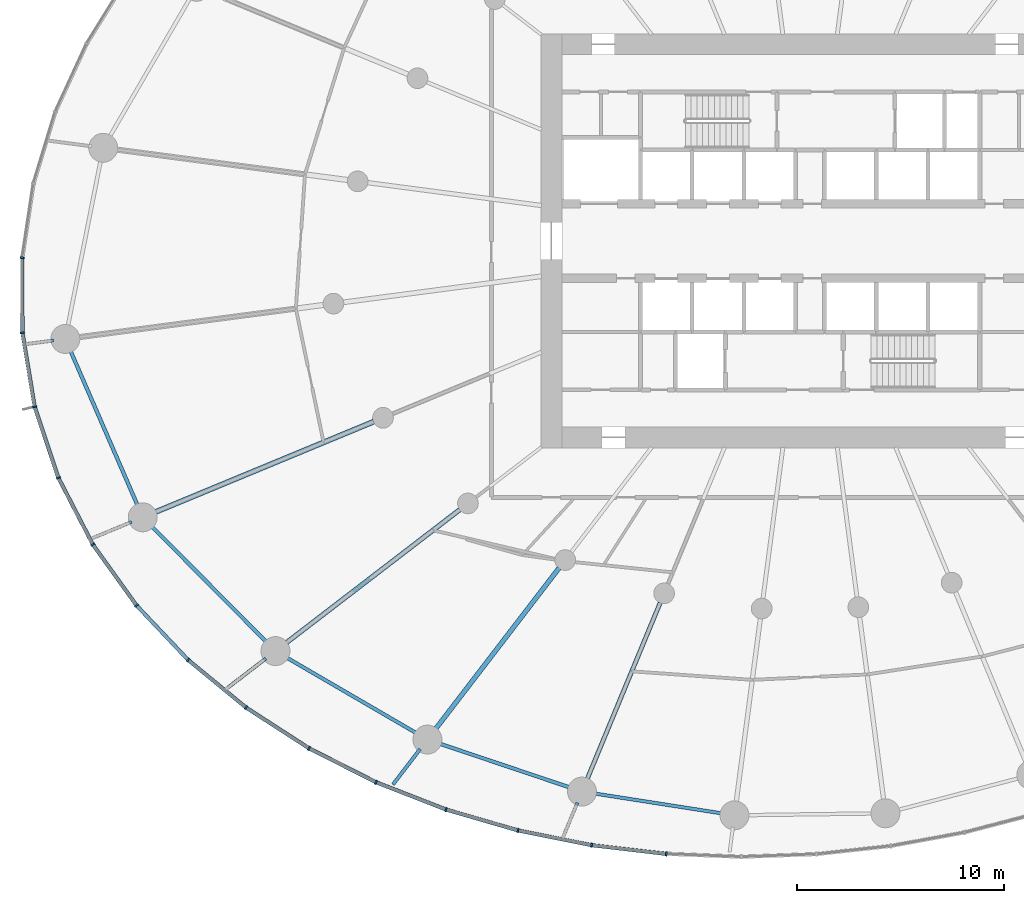
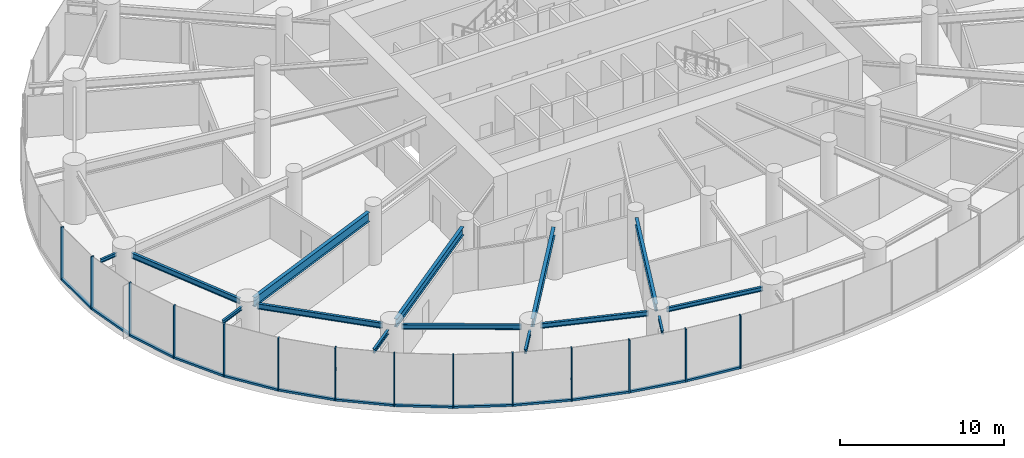
# One storey, part 2 of 19: 27 members, 14 beams, 3 elements without a shape of their own.
"""IFC4 building model written with IfcOpenShell, lengths in metres."""

from ifc_helpers import new_model, si_unit, direction, frame, origin, origin_2d, place, context, subcontext, project, spatial, rectangle, i_section, extrude, source, transform, mapped, material, layer, layer_set, material_profile, profile_set, type_object, element, aggregate, save


model = new_model("IFC4")

# Units and contexts
model_context = context("Model", 3, precision=1e-05, world=origin(), true_north=direction((0.0, 1.0)))
body_context = subcontext(model_context, "Body", "Model", "MODEL_VIEW")
ifc_project = project(units=[si_unit("LENGTHUNIT", "METRE"), si_unit("AREAUNIT", "SQUARE_METRE"), si_unit("VOLUMEUNIT", "CUBIC_METRE"), si_unit("PLANEANGLEUNIT", "RADIAN"), si_unit("MASSUNIT", "GRAM", prefix="KILO")], contexts=[model_context])

# Site, building, storey
site_placement = place(None, origin())
site = spatial("IfcSite", under=ifc_project, at=site_placement, CompositionType="ELEMENT")
building_placement = place(site_placement, origin())
building = spatial("IfcBuilding", under=site, at=building_placement, Name="Spindrift Exchange Tower", CompositionType="ELEMENT")
storey_placement = place(building_placement, frame((0.0, 0.0, 44.60009765625)))
storey = spatial("IfcBuildingStorey", under=building, at=storey_placement, Name="L10", CompositionType="ELEMENT", Elevation=44.60009765625)

# Beams
ifc_material_1 = material(Name="Steel Grade 300", Category="steel")
ifc_material_profile_1 = material_profile(ifc_material_1, i_section(OverallWidth=0.25, OverallDepth=0.699951171875, WebThickness=0.008056640625, FlangeThickness=0.011962890625, at=origin_2d()), Name="700WB115")
ifc_profile_set_1 = profile_set([ifc_material_profile_1], Name="Steel Grade 300")
beam_type_1 = type_object("IfcBeamType", Name="Floor Beam 700WB115 Steel Grade 300", PredefinedType="BEAM", material=ifc_profile_set_1)
shared_shape_1 = source(origin(), body_context, "Body", "SweptSolid", [
    extrude(i_section(OverallWidth=0.25, OverallDepth=0.699951171875, WebThickness=0.008056640625, FlangeThickness=0.011962890625, at=origin_2d()), origin(), (0.0, 0.0, 1.0), 11.505859375),
])
beam_1_placement = place(storey_placement, frame((30.917236328125, 39.26708984375, 3.599853515625), z_axis=(-0.923881578419, -0.38267849307, 0.0), x_axis=(0.38267849307, -0.923881578419, 0.0)))
element("IfcBeam", 1, at=beam_1_placement, inside=storey, type_object=beam_type_1, Name="L10 radial beam R14B", PredefinedType="BEAM", context=body_context, shape_type="MappedRepresentation", body=[
    mapped(shared_shape_1, transform((0.0, 0.0, 0.0), scale=1.0)),
])
ifc_material_profile_2 = material_profile(ifc_material_1, i_section(OverallWidth=0.22802734375, OverallDepth=0.60693359375, WebThickness=0.01123046875, FlangeThickness=0.017333984375, FilletRadius=0.013916015625, at=origin_2d()), Name="610UB113")
ifc_profile_set_2 = profile_set([ifc_material_profile_2], Name="Steel Grade 300")
beam_type_2 = type_object("IfcBeamType", Name="Floor Beam 610UB113 Steel Grade 300", PredefinedType="BEAM", material=ifc_profile_set_2)
shared_shape_2 = source(origin(), body_context, "Body", "SweptSolid", [
    extrude(i_section(OverallWidth=0.22802734375, OverallDepth=0.60693359375, WebThickness=0.01123046875, FlangeThickness=0.017333984375, FilletRadius=0.013916015625, at=origin_2d()), origin(), (0.0, 0.0, 1.0), 10.66357421875),
])
beam_2_placement = place(storey_placement, frame((35.08447265625, 35.020263671875, 3.646484375), z_axis=(-0.793357926757, -0.608755451764, 0.0), x_axis=(0.608755451764, -0.793357926757, 0.0)))
element("IfcBeam", 2, at=beam_2_placement, inside=storey, type_object=beam_type_2, Name="L10 radial beam R15B", PredefinedType="BEAM", context=body_context, shape_type="MappedRepresentation", body=[
    mapped(shared_shape_2, transform((0.0, 0.0, 0.0), scale=1.0)),
])
shared_shape_3 = source(origin(), body_context, "Body", "SweptSolid", [
    extrude(i_section(OverallWidth=0.22802734375, OverallDepth=0.60693359375, WebThickness=0.01123046875, FlangeThickness=0.017333984375, FilletRadius=0.013916015625, at=origin_2d()), origin(), (0.0, 0.0, 1.0), 9.87548828125),
])
beam_3_placement = place(storey_placement, frame((39.872802734375, 32.1953125, 3.646484375), z_axis=(-0.608772470836, -0.793344867477, 0.0), x_axis=(0.793344867477, -0.608772470836, 0.0)))
element("IfcBeam", 3, at=beam_3_placement, inside=storey, type_object=beam_type_2, Name="L10 radial beam R16B", PredefinedType="BEAM", context=body_context, shape_type="MappedRepresentation", body=[
    mapped(shared_shape_3, transform((0.0, 0.0, 0.0), scale=1.0)),
])
ifc_material_profile_3 = material_profile(ifc_material_1, i_section(OverallWidth=0.208984375, OverallDepth=0.532958984375, WebThickness=0.01025390625, FlangeThickness=0.015625, FilletRadius=0.013916015625, at=origin_2d()), Name="530UB92.4")
ifc_profile_set_3 = profile_set([ifc_material_profile_3], Name="Steel Grade 300")
beam_type_3 = type_object("IfcBeamType", Name="Floor Beam 530UB92.4 Steel Grade 300", PredefinedType="BEAM", material=ifc_profile_set_3)
shared_shape_4 = source(origin(), body_context, "Body", "SweptSolid", [
    extrude(i_section(OverallWidth=0.208984375, OverallDepth=0.532958984375, WebThickness=0.01025390625, FlangeThickness=0.015625, FilletRadius=0.013916015625, at=origin_2d()), origin(), (0.0, 0.0, 1.0), 9.309326171875),
])
beam_4_placement = place(storey_placement, frame((44.76171875, 30.525146484375, 3.683349609375), z_axis=(-0.382685326691, -0.923878747853, 0.0), x_axis=(0.923878747853, -0.382685326691, 0.0)))
element("IfcBeam", 4, at=beam_4_placement, inside=storey, type_object=beam_type_3, Name="L10 radial beam R17B", PredefinedType="BEAM", context=body_context, shape_type="MappedRepresentation", body=[
    mapped(shared_shape_4, transform((0.0, 0.0, 0.0), scale=1.0)),
])
ifc_material_profile_4 = material_profile(ifc_material_1, i_section(OverallWidth=0.177978515625, OverallDepth=0.406005859375, WebThickness=0.0078125, FlangeThickness=0.0126953125, FilletRadius=0.013916015625, at=origin_2d()), Name="410UB59.7")
ifc_profile_set_4 = profile_set([ifc_material_profile_4], Name="Steel Grade 300")
beam_type_4 = type_object("IfcBeamType", Name="Edge Beam 410UB59.7 Steel Grade 300", PredefinedType="SPANDREL", material=ifc_profile_set_4)
shared_shape_5 = source(origin(), body_context, "Body", "SweptSolid", [
    extrude(i_section(OverallWidth=0.177978515625, OverallDepth=0.406005859375, WebThickness=0.0078125, FlangeThickness=0.0126953125, FilletRadius=0.013916015625, at=origin_2d()), origin(), (0.0, 0.0, 1.0), 8.23681640625),
])
beam_5_placement = place(storey_placement, frame((16.240478515625, 42.729736328125, 3.746826171875), z_axis=(0.398186298756, -0.91730456855, 0.0), x_axis=(0.91730456855, 0.398186298756, 0.0)))
element("IfcBeam", 5, at=beam_5_placement, inside=storey, type_object=beam_type_4, Name="L10 edge beam E13", PredefinedType="SPANDREL", context=body_context, shape_type="MappedRepresentation", body=[
    mapped(shared_shape_5, transform((0.0, 0.0, 0.0), scale=1.0)),
])
shared_shape_6 = source(origin(), body_context, "Body", "SweptSolid", [
    extrude(i_section(OverallWidth=0.177978515625, OverallDepth=0.406005859375, WebThickness=0.0078125, FlangeThickness=0.0126953125, FilletRadius=0.013916015625, at=origin_2d()), origin(), (0.0, 0.0, 1.0), 7.947509765625),
])
beam_6_placement = place(storey_placement, frame((20.159423828125, 34.230224609375, 3.746826171875), z_axis=(0.704197895271, -0.710003749494, 0.0), x_axis=(0.710003749494, 0.704197895271, 0.0)))
element("IfcBeam", 6, at=beam_6_placement, inside=storey, type_object=beam_type_4, Name="L10 edge beam E14", PredefinedType="SPANDREL", context=body_context, shape_type="MappedRepresentation", body=[
    mapped(shared_shape_6, transform((0.0, 0.0, 0.0), scale=1.0)),
])
ifc_material_profile_5 = material_profile(ifc_material_1, i_section(OverallWidth=0.172119140625, OverallDepth=0.35888671875, WebThickness=0.008056640625, FlangeThickness=0.012939453125, FilletRadius=0.013916015625, at=origin_2d()), Name="360UB56.7")
ifc_profile_set_5 = profile_set([ifc_material_profile_5], Name="Steel Grade 300")
beam_type_5 = type_object("IfcBeamType", Name="Edge Beam 360UB56.7 Steel Grade 300", PredefinedType="SPANDREL", material=ifc_profile_set_5)
shared_shape_7 = source(origin(), body_context, "Body", "SweptSolid", [
    extrude(i_section(OverallWidth=0.172119140625, OverallDepth=0.35888671875, WebThickness=0.008056640625, FlangeThickness=0.012939453125, FilletRadius=0.013916015625, at=origin_2d()), origin(), (0.0, 0.0, 1.0), 7.33740234375),
])
beam_7_placement = place(storey_placement, frame((26.66552734375, 27.8837890625, 3.7705078125), z_axis=(0.864211826308, -0.503128134047, 0.0), x_axis=(0.503128134047, 0.864211826308, 0.0)))
element("IfcBeam", 7, at=beam_7_placement, inside=storey, type_object=beam_type_5, Name="L10 edge beam E15", PredefinedType="SPANDREL", context=body_context, shape_type="MappedRepresentation", body=[
    mapped(shared_shape_7, transform((0.0, 0.0, 0.0), scale=1.0)),
])
shared_shape_8 = source(origin(), body_context, "Body", "SweptSolid", [
    extrude(i_section(OverallWidth=0.172119140625, OverallDepth=0.35888671875, WebThickness=0.008056640625, FlangeThickness=0.012939453125, FilletRadius=0.013916015625, at=origin_2d()), origin(), (0.0, 0.0, 1.0), 6.72021484375),
])
beam_8_placement = place(storey_placement, frame((34.0576171875, 23.71533203125, 3.7705078125), z_axis=(0.947851749681, -0.318711563372, 0.0), x_axis=(0.318711563372, 0.947851749681, 0.0)))
element("IfcBeam", 8, at=beam_8_placement, inside=storey, type_object=beam_type_5, Name="L10 edge beam E16", PredefinedType="SPANDREL", context=body_context, shape_type="MappedRepresentation", body=[
    mapped(shared_shape_8, transform((0.0, 0.0, 0.0), scale=1.0)),
])
ifc_material_profile_6 = material_profile(ifc_material_1, i_section(OverallWidth=0.1650390625, OverallDepth=0.303955078125, WebThickness=0.006103515625, FlangeThickness=0.01025390625, FilletRadius=0.011474609375, at=origin_2d()), Name="310UB40.4")
ifc_profile_set_6 = profile_set([ifc_material_profile_6], Name="Steel Grade 300")
beam_type_6 = type_object("IfcBeamType", Name="Edge Beam 310UB40.4 Steel Grade 300", PredefinedType="SPANDREL", material=ifc_profile_set_6)
shared_shape_9 = source(origin(), body_context, "Body", "SweptSolid", [
    extrude(i_section(OverallWidth=0.1650390625, OverallDepth=0.303955078125, WebThickness=0.006103515625, FlangeThickness=0.01025390625, FilletRadius=0.011474609375, at=origin_2d()), origin(), (0.0, 0.0, 1.0), 6.297119140625),
])
beam_9_placement = place(storey_placement, frame((41.55029296875, 21.29931640625, 3.7978515625), z_axis=(0.98802902915, -0.154268070436, 0.0), x_axis=(0.154268070436, 0.98802902915, 0.0)))
element("IfcBeam", 9, at=beam_9_placement, inside=storey, type_object=beam_type_6, Name="L10 edge beam E17", PredefinedType="SPANDREL", context=body_context, shape_type="MappedRepresentation", body=[
    mapped(shared_shape_9, transform((0.0, 0.0, 0.0), scale=1.0)),
])
ifc_material_profile_7 = material_profile(ifc_material_1, i_section(OverallWidth=0.14599609375, OverallDepth=0.251953125, WebThickness=0.006103515625, FlangeThickness=0.008544921875, FilletRadius=0.011962890625, at=origin_2d()), Name="250UB31.4")
ifc_profile_set_7 = profile_set([ifc_material_profile_7], Name="Steel Grade 300")
beam_type_7 = type_object("IfcBeamType", Name="Cantilever Beam 250UB31.4 Steel Grade 300", PredefinedType="BEAM", material=ifc_profile_set_7)
shared_shape_10 = source(origin(), body_context, "Body", "SweptSolid", [
    extrude(i_section(OverallWidth=0.14599609375, OverallDepth=0.251953125, WebThickness=0.006103515625, FlangeThickness=0.008544921875, FilletRadius=0.011962890625, at=origin_2d()), origin(), (0.0, 0.0, 1.0), 1.224365234375),
])
beam_10_placement = place(storey_placement, frame((15.4345703125, 43.18603515625, 3.823974609375), z_axis=(-0.991459724463, -0.130413246138, 0.0), x_axis=(0.130413246138, -0.991459724463, 0.0)))
element("IfcBeam", 10, at=beam_10_placement, inside=storey, type_object=beam_type_7, Name="L10 cantilever beam R13T", PredefinedType="BEAM", context=body_context, shape_type="MappedRepresentation", body=[
    mapped(shared_shape_10, transform((0.0, 0.0, 0.0), scale=1.0)),
])
shared_shape_11 = source(origin(), body_context, "Body", "SweptSolid", [
    extrude(i_section(OverallWidth=0.14599609375, OverallDepth=0.251953125, WebThickness=0.006103515625, FlangeThickness=0.008544921875, FilletRadius=0.011962890625, at=origin_2d()), origin(), (0.0, 0.0, 1.0), 1.96728515625),
])
beam_11_placement = place(storey_placement, frame((19.21533203125, 34.420166015625, 3.823974609375), z_axis=(-0.923871633856, -0.382702500848, 0.0), x_axis=(0.382702500848, -0.923871633856, 0.0)))
element("IfcBeam", 11, at=beam_11_placement, inside=storey, type_object=beam_type_7, Name="L10 cantilever beam R14T", PredefinedType="BEAM", context=body_context, shape_type="MappedRepresentation", body=[
    mapped(shared_shape_11, transform((0.0, 0.0, 0.0), scale=1.0)),
])
ifc_material_profile_8 = material_profile(ifc_material_1, i_section(OverallWidth=0.1650390625, OverallDepth=0.303955078125, WebThickness=0.006103515625, FlangeThickness=0.01025390625, FilletRadius=0.011474609375, at=origin_2d()), Name="310UB40.4")
ifc_profile_set_8 = profile_set([ifc_material_profile_8], Name="Steel Grade 300")
beam_type_8 = type_object("IfcBeamType", Name="Cantilever Beam 310UB40.4 Steel Grade 300", PredefinedType="BEAM", material=ifc_profile_set_8)
shared_shape_12 = source(origin(), body_context, "Body", "SweptSolid", [
    extrude(i_section(OverallWidth=0.1650390625, OverallDepth=0.303955078125, WebThickness=0.006103515625, FlangeThickness=0.01025390625, FilletRadius=0.011474609375, at=origin_2d()), origin(), (0.0, 0.0, 1.0), 2.33251953125),
])
beam_12_placement = place(storey_placement, frame((25.704345703125, 27.822509765625, 3.7978515625), z_axis=(-0.793370454613, -0.608739124542, 0.0), x_axis=(0.608739124542, -0.793370454613, 0.0)))
element("IfcBeam", 12, at=beam_12_placement, inside=storey, type_object=beam_type_8, Name="L10 cantilever beam R15T", PredefinedType="BEAM", context=body_context, shape_type="MappedRepresentation", body=[
    mapped(shared_shape_12, transform((0.0, 0.0, 0.0), scale=1.0)),
])
shared_shape_13 = source(origin(), body_context, "Body", "SweptSolid", [
    extrude(i_section(OverallWidth=0.1650390625, OverallDepth=0.303955078125, WebThickness=0.006103515625, FlangeThickness=0.01025390625, FilletRadius=0.011474609375, at=origin_2d()), origin(), (0.0, 0.0, 1.0), 2.16064453125),
])
beam_13_placement = place(storey_placement, frame((33.154541015625, 23.440185546875, 3.7978515625), z_axis=(-0.60873278131, -0.793375321622, 0.0), x_axis=(0.793375321622, -0.60873278131, 0.0)))
element("IfcBeam", 13, at=beam_13_placement, inside=storey, type_object=beam_type_8, Name="L10 cantilever beam R16T", PredefinedType="BEAM", context=body_context, shape_type="MappedRepresentation", body=[
    mapped(shared_shape_13, transform((0.0, 0.0, 0.0), scale=1.0)),
])
shared_shape_14 = source(origin(), body_context, "Body", "SweptSolid", [
    extrude(i_section(OverallWidth=0.14599609375, OverallDepth=0.251953125, WebThickness=0.006103515625, FlangeThickness=0.008544921875, FilletRadius=0.011962890625, at=origin_2d()), origin(), (0.0, 0.0, 1.0), 1.72216796875),
])
beam_14_placement = place(storey_placement, frame((40.755126953125, 20.852783203125, 3.823974609375), z_axis=(-0.382631424892, -0.923901072997, 0.0), x_axis=(0.923901072997, -0.382631424892, 0.0)))
element("IfcBeam", 14, at=beam_14_placement, inside=storey, type_object=beam_type_7, Name="L10 cantilever beam R17T", PredefinedType="BEAM", context=body_context, shape_type="MappedRepresentation", body=[
    mapped(shared_shape_14, transform((0.0, 0.0, 0.0), scale=1.0)),
])

# Curtain wall, members
ifc_material_2 = material(Name="Fritted laminated glass with bronze frame", Category="glass")
ifc_layer = layer(ifc_material_2, 0.199951171875)
ifc_layer_set = layer_set([ifc_layer], Name="ZONE 1 BRONZE FRITTED WALL")
curtain_wall_type = type_object("IfcCurtainWallType", Name="ZONE 1 BRONZE FRITTED WALL", PredefinedType="NOTDEFINED", material=ifc_layer_set)
curtain_wall_1_placement = place(storey_placement, origin())
curtain_wall_1 = element("IfcCurtainWall", 15, at=curtain_wall_1_placement, inside=storey, type_object=curtain_wall_type, Name="L10 Zone 1 Bronze Fritted Wall run 5", PredefinedType="NOTDEFINED")
ifc_material_3 = material(Name="Bronze anodised aluminium", Category="aluminium")
ifc_material_profile_9 = material_profile(ifc_material_3, rectangle(XDim=0.080078125, YDim=0.199951171875, at=origin_2d()), Name="ZONE 1 BRONZE FRITTED WALL MULLION 80X200")
ifc_profile_set_9 = profile_set([ifc_material_profile_9], Name="Bronze anodised aluminium")
member_type_1 = type_object("IfcMemberType", Name="ZONE 1 BRONZE FRITTED WALL MULLION 80X200", PredefinedType="MULLION", material=ifc_profile_set_9)
shared_shape_15 = source(origin(), body_context, "Body", "SweptSolid", [
    extrude(rectangle(XDim=0.080078125, YDim=0.199951171875, at=origin_2d()), origin(), (0.0, 0.0, 1.0), 3.949951171875),
])
member_1_placement = place(storey_placement, frame((13.921142578125, 47.184814453125, 0.0), z_axis=(0.0, 0.0, 1.0), x_axis=(-0.072480952899, -0.997369796749, 0.0)))
member_1 = element("IfcMember", 16, at=member_1_placement, type_object=member_type_1, Name="L10 mullion CW-1.29", PredefinedType="MULLION", context=body_context, shape_type="MappedRepresentation", body=[
    mapped(shared_shape_15, transform((0.0, 0.0, 0.0), scale=1.0)),
])
member_2_placement = place(storey_placement, frame((13.9375, 43.560302734375, 0.0), z_axis=(0.0, 0.0, 1.0), x_axis=(0.083892290539, -0.996474828377, 0.0)))
member_2 = element("IfcMember", 17, at=member_2_placement, type_object=member_type_1, Name="L10 mullion CW-1.30", PredefinedType="MULLION", context=body_context, shape_type="MappedRepresentation", body=[
    mapped(shared_shape_15, transform((0.0, 0.0, 0.0), scale=1.0)),
])

curtain_wall_2_placement = place(storey_placement, origin())
curtain_wall_2 = element("IfcCurtainWall", 18, at=curtain_wall_2_placement, inside=storey, type_object=curtain_wall_type, Name="L10 Zone 1 Bronze Fritted Wall run 6", PredefinedType="NOTDEFINED")
member_3_placement = place(storey_placement, frame((14.52734375, 39.984375, 0.0), z_axis=(0.0, 0.0, 1.0), x_axis=(0.240475955306, -0.970655095757, 0.0)))
member_3 = element("IfcMember", 19, at=member_3_placement, type_object=member_type_1, Name="L10 mullion CW-1.31", PredefinedType="MULLION", context=body_context, shape_type="MappedRepresentation", body=[
    mapped(shared_shape_15, transform((0.0, 0.0, 0.0), scale=1.0)),
])
member_4_placement = place(storey_placement, frame((15.67529296875, 36.54638671875, 0.0), z_axis=(0.0, 0.0, 1.0), x_axis=(0.388859443789, -0.921297092678, 0.0)))
member_4 = element("IfcMember", 20, at=member_4_placement, type_object=member_type_1, Name="L10 mullion CW-1.32", PredefinedType="MULLION", context=body_context, shape_type="MappedRepresentation", body=[
    mapped(shared_shape_15, transform((0.0, 0.0, 0.0), scale=1.0)),
])
member_5_placement = place(storey_placement, frame((17.337890625, 33.325439453125, 0.0), z_axis=(0.0, 0.0, 1.0), x_axis=(0.522232692088, -0.852803034302, 0.0)))
member_5 = element("IfcMember", 21, at=member_5_placement, type_object=member_type_1, Name="L10 mullion CW-1.33", PredefinedType="MULLION", context=body_context, shape_type="MappedRepresentation", body=[
    mapped(shared_shape_15, transform((0.0, 0.0, 0.0), scale=1.0)),
])
member_6_placement = place(storey_placement, frame((19.451416015625, 30.380126953125, 0.0), z_axis=(0.0, 0.0, 1.0), x_axis=(0.636708052384, -0.771104957855, 0.0)))
member_6 = element("IfcMember", 22, at=member_6_placement, type_object=member_type_1, Name="L10 mullion CW-1.34", PredefinedType="MULLION", context=body_context, shape_type="MappedRepresentation", body=[
    mapped(shared_shape_15, transform((0.0, 0.0, 0.0), scale=1.0)),
])
member_7_placement = place(storey_placement, frame((21.944091796875, 27.7470703125, 0.0), z_axis=(0.0, 0.0, 1.0), x_axis=(0.731397462387, -0.681951429366, 0.0)))
member_7 = element("IfcMember", 23, at=member_7_placement, type_object=member_type_1, Name="L10 mullion CW-1.35", PredefinedType="MULLION", context=body_context, shape_type="MappedRepresentation", body=[
    mapped(shared_shape_15, transform((0.0, 0.0, 0.0), scale=1.0)),
])
member_8_placement = place(storey_placement, frame((24.7451171875, 25.4443359375, 0.0), z_axis=(0.0, 0.0, 1.0), x_axis=(0.807464713989, -0.589915871682, 0.0)))
member_8 = element("IfcMember", 24, at=member_8_placement, type_object=member_type_1, Name="L10 mullion CW-1.36", PredefinedType="MULLION", context=body_context, shape_type="MappedRepresentation", body=[
    mapped(shared_shape_15, transform((0.0, 0.0, 0.0), scale=1.0)),
])

curtain_wall_3_placement = place(storey_placement, origin())
curtain_wall_3 = element("IfcCurtainWall", 25, at=curtain_wall_3_placement, inside=storey, type_object=curtain_wall_type, Name="L10 Zone 1 Bronze Fritted Wall run 7", PredefinedType="NOTDEFINED")
member_9_placement = place(storey_placement, frame((27.79052734375, 23.475830078125, 0.0), z_axis=(0.0, 0.0, 1.0), x_axis=(0.867125763262, -0.498089259758, 0.0)))
member_9 = element("IfcMember", 26, at=member_9_placement, type_object=member_type_1, Name="L10 mullion CW-1.37", PredefinedType="MULLION", context=body_context, shape_type="MappedRepresentation", body=[
    mapped(shared_shape_15, transform((0.0, 0.0, 0.0), scale=1.0)),
])
member_10_placement = place(storey_placement, frame((31.025634765625, 21.836669921875, 0.0), z_axis=(0.0, 0.0, 1.0), x_axis=(0.912876977132, -0.408234766553, 0.0)))
member_10 = element("IfcMember", 27, at=member_10_placement, type_object=member_type_1, Name="L10 mullion CW-1.38", PredefinedType="MULLION", context=body_context, shape_type="MappedRepresentation", body=[
    mapped(shared_shape_15, transform((0.0, 0.0, 0.0), scale=1.0)),
])
member_11_placement = place(storey_placement, frame((34.404296875, 20.51806640625, 0.0), z_axis=(0.0, 0.0, 1.0), x_axis=(0.947006918205, -0.321213164225, 0.0)))
member_11 = element("IfcMember", 28, at=member_11_placement, type_object=member_type_1, Name="L10 mullion CW-1.39", PredefinedType="MULLION", context=body_context, shape_type="MappedRepresentation", body=[
    mapped(shared_shape_15, transform((0.0, 0.0, 0.0), scale=1.0)),
])
member_12_placement = place(storey_placement, frame((37.88818359375, 19.509033203125, 0.0), z_axis=(0.0, 0.0, 1.0), x_axis=(0.971435870018, -0.237302234383, 0.0)))
member_12 = element("IfcMember", 29, at=member_12_placement, type_object=member_type_1, Name="L10 mullion CW-1.40", PredefinedType="MULLION", context=body_context, shape_type="MappedRepresentation", body=[
    mapped(shared_shape_15, transform((0.0, 0.0, 0.0), scale=1.0)),
])
member_13_placement = place(storey_placement, frame((41.445068359375, 18.798095703125, 0.0), z_axis=(0.0, 0.0, 1.0), x_axis=(0.98769750564, -0.156376588246, 0.0)))
member_13 = element("IfcMember", 30, at=member_13_placement, type_object=member_type_1, Name="L10 mullion CW-1.41", PredefinedType="MULLION", context=body_context, shape_type="MappedRepresentation", body=[
    mapped(shared_shape_15, transform((0.0, 0.0, 0.0), scale=1.0)),
])
member_14_placement = place(storey_placement, frame((45.047607421875, 18.37548828125, 0.0), z_axis=(0.0, 0.0, 1.0), x_axis=(0.996944076484, -0.078118553266, 0.0)))
member_14 = element("IfcMember", 31, at=member_14_placement, type_object=member_type_1, Name="L10 mullion CW-1.42", PredefinedType="MULLION", context=body_context, shape_type="MappedRepresentation", body=[
    mapped(shared_shape_15, transform((0.0, 0.0, 0.0), scale=1.0)),
])

# Member
ifc_material_profile_10 = material_profile(ifc_material_3, rectangle(XDim=0.179931640625, YDim=0.14990234375, at=origin_2d()), Name="ZONE 1 BRONZE FRITTED WALL TRANSOM 180X150")
ifc_profile_set_10 = profile_set([ifc_material_profile_10], Name="Bronze anodised aluminium")
member_type_2 = type_object("IfcMemberType", Name="ZONE 1 BRONZE FRITTED WALL TRANSOM 180X150", PredefinedType="USERDEFINED", material=ifc_profile_set_10)
shared_shape_16 = source(origin(), body_context, "Body", "SweptSolid", [
    extrude(rectangle(XDim=0.179931640625, YDim=0.14990234375, at=origin_2d()), origin(), (0.0, 0.0, 1.0), 3.54443359375),
])
member_15_placement = place(storey_placement, frame((13.92138671875, 47.144775390625, 0.074951171875), z_axis=(0.004546033752, -0.999989666735, 0.0), x_axis=(0.999989666735, 0.004546033752, 0.0)))
member_15 = element("IfcMember", 32, at=member_15_placement, type_object=member_type_2, Name="L10 transom CW-1.29", ObjectType="TRANSOM", PredefinedType="USERDEFINED", context=body_context, shape_type="MappedRepresentation", body=[
    mapped(shared_shape_16, transform((0.0, 0.0, 0.0), scale=1.0)),
])

member_16_placement = place(storey_placement, frame((13.944091796875, 43.52099609375, 0.074951171875), z_axis=(0.162689821704, -0.9866772633, 0.0), x_axis=(0.9866772633, 0.162689821704, 0.0)))
member_16 = element("IfcMember", 33, at=member_16_placement, type_object=member_type_2, Name="L10 transom CW-1.30", ObjectType="TRANSOM", PredefinedType="USERDEFINED", context=body_context, shape_type="MappedRepresentation", body=[
    mapped(shared_shape_16, transform((0.0, 0.0, 0.0), scale=1.0)),
])

aggregate(curtain_wall_1, [member_1, member_15, member_2, member_16])

member_17_placement = place(storey_placement, frame((14.5400390625, 39.9462890625, 0.074951171875), z_axis=(0.316702987451, -0.948524758633, 0.0), x_axis=(0.948524758633, 0.316702987451, 0.0)))
member_17 = element("IfcMember", 34, at=member_17_placement, type_object=member_type_2, Name="L10 transom CW-1.31", ObjectType="TRANSOM", PredefinedType="USERDEFINED", context=body_context, shape_type="MappedRepresentation", body=[
    mapped(shared_shape_16, transform((0.0, 0.0, 0.0), scale=1.0)),
])

shared_shape_17 = source(origin(), body_context, "Body", "SweptSolid", [
    extrude(rectangle(XDim=0.179931640625, YDim=0.14990234375, at=origin_2d()), origin(), (0.0, 0.0, 1.0), 3.544921875),
])
member_18_placement = place(storey_placement, frame((15.693603515625, 36.5107421875, 0.074951171875), z_axis=(0.458692041079, -0.888595302402, 0.0), x_axis=(0.888595302402, 0.458692041079, 0.0)))
member_18 = element("IfcMember", 35, at=member_18_placement, type_object=member_type_2, Name="L10 transom CW-1.32", ObjectType="TRANSOM", PredefinedType="USERDEFINED", context=body_context, shape_type="MappedRepresentation", body=[
    mapped(shared_shape_17, transform((0.0, 0.0, 0.0), scale=1.0)),
])

shared_shape_18 = source(origin(), body_context, "Body", "SweptSolid", [
    extrude(rectangle(XDim=0.179931640625, YDim=0.14990234375, at=origin_2d()), origin(), (0.0, 0.0, 1.0), 3.545654296875),
])
member_19_placement = place(storey_placement, frame((19.47900390625, 30.35107421875, 0.074951171875), z_axis=(0.687458113271, -0.726224030516, 0.0), x_axis=(0.726224030516, 0.687458113271, 0.0)))
member_19 = element("IfcMember", 36, at=member_19_placement, type_object=member_type_2, Name="L10 transom CW-1.34", ObjectType="TRANSOM", PredefinedType="USERDEFINED", context=body_context, shape_type="MappedRepresentation", body=[
    mapped(shared_shape_18, transform((0.0, 0.0, 0.0), scale=1.0)),
])

shared_shape_19 = source(origin(), body_context, "Body", "SweptSolid", [
    extrude(rectangle(XDim=0.179931640625, YDim=0.14990234375, at=origin_2d()), origin(), (0.0, 0.0, 1.0), 3.546142578125),
])
member_20_placement = place(storey_placement, frame((21.974853515625, 27.7216796875, 0.074951171875), z_axis=(0.772470516978, -0.635050628218, 0.0), x_axis=(0.635050628218, 0.772470516978, 0.0)))
member_20 = element("IfcMember", 37, at=member_20_placement, type_object=member_type_2, Name="L10 transom CW-1.35", ObjectType="TRANSOM", PredefinedType="USERDEFINED", context=body_context, shape_type="MappedRepresentation", body=[
    mapped(shared_shape_19, transform((0.0, 0.0, 0.0), scale=1.0)),
])

member_21_placement = place(storey_placement, frame((24.778564453125, 25.422607421875, 0.074951171875), z_axis=(0.839836032001, -0.54284016004, 0.0), x_axis=(0.54284016004, 0.839836032001, 0.0)))
member_21 = element("IfcMember", 38, at=member_21_placement, type_object=member_type_2, Name="L10 transom CW-1.36", ObjectType="TRANSOM", PredefinedType="USERDEFINED", context=body_context, shape_type="MappedRepresentation", body=[
    mapped(shared_shape_19, transform((0.0, 0.0, 0.0), scale=1.0)),
])

shared_shape_20 = source(origin(), body_context, "Body", "SweptSolid", [
    extrude(rectangle(XDim=0.179931640625, YDim=0.14990234375, at=origin_2d()), origin(), (0.0, 0.0, 1.0), 3.546875),
])
member_22_placement = place(storey_placement, frame((31.06298828125, 21.822265625, 0.074951171875), z_axis=(0.931567384985, -0.363568710469, 0.0), x_axis=(0.363568710469, 0.931567384985, 0.0)))
member_22 = element("IfcMember", 39, at=member_22_placement, type_object=member_type_2, Name="L10 transom CW-1.38", ObjectType="TRANSOM", PredefinedType="USERDEFINED", context=body_context, shape_type="MappedRepresentation", body=[
    mapped(shared_shape_20, transform((0.0, 0.0, 0.0), scale=1.0)),
])

shared_shape_21 = source(origin(), body_context, "Body", "SweptSolid", [
    extrude(rectangle(XDim=0.179931640625, YDim=0.14990234375, at=origin_2d()), origin(), (0.0, 0.0, 1.0), 3.54736328125),
])
member_23_placement = place(storey_placement, frame((41.48486328125, 18.79345703125, 0.074951171875), z_axis=(0.99318860411, -0.116517795493, 0.0), x_axis=(0.116517795493, 0.99318860411, 0.0)))
member_23 = element("IfcMember", 40, at=member_23_placement, type_object=member_type_2, Name="L10 transom CW-1.41", ObjectType="TRANSOM", PredefinedType="USERDEFINED", context=body_context, shape_type="MappedRepresentation", body=[
    mapped(shared_shape_21, transform((0.0, 0.0, 0.0), scale=1.0)),
])

shared_shape_22 = source(origin(), body_context, "Body", "SweptSolid", [
    extrude(rectangle(XDim=0.179931640625, YDim=0.14990234375, at=origin_2d()), origin(), (0.0, 0.0, 1.0), 3.547119140625),
])
member_24_placement = place(storey_placement, frame((34.44287109375, 20.507080078125, 0.074951171875), z_axis=(0.960501832775, -0.278273658897, 0.0), x_axis=(0.278273658897, 0.960501832775, 0.0)))
member_24 = element("IfcMember", 41, at=member_24_placement, type_object=member_type_2, Name="L10 transom CW-1.39", ObjectType="TRANSOM", PredefinedType="USERDEFINED", context=body_context, shape_type="MappedRepresentation", body=[
    mapped(shared_shape_22, transform((0.0, 0.0, 0.0), scale=1.0)),
])

member_25_placement = place(storey_placement, frame((37.927490234375, 19.501220703125, 0.074951171875), z_axis=(0.980612430241, -0.195957295493, 0.0), x_axis=(0.195957295493, 0.980612430241, 0.0)))
member_25 = element("IfcMember", 42, at=member_25_placement, type_object=member_type_2, Name="L10 transom CW-1.40", ObjectType="TRANSOM", PredefinedType="USERDEFINED", context=body_context, shape_type="MappedRepresentation", body=[
    mapped(shared_shape_22, transform((0.0, 0.0, 0.0), scale=1.0)),
])

shared_shape_23 = source(origin(), body_context, "Body", "SweptSolid", [
    extrude(rectangle(XDim=0.179931640625, YDim=0.14990234375, at=origin_2d()), origin(), (0.0, 0.0, 1.0), 3.545166015625),
])
member_26_placement = place(storey_placement, frame((17.361328125, 33.29296875, 0.074951171875), z_axis=(0.582963225934, -0.812498539819, 0.0), x_axis=(0.812498539819, 0.582963225934, 0.0)))
member_26 = element("IfcMember", 43, at=member_26_placement, type_object=member_type_2, Name="L10 transom CW-1.33", ObjectType="TRANSOM", PredefinedType="USERDEFINED", context=body_context, shape_type="MappedRepresentation", body=[
    mapped(shared_shape_23, transform((0.0, 0.0, 0.0), scale=1.0)),
])

aggregate(curtain_wall_2, [member_3, member_17, member_4, member_18, member_5, member_26, member_6, member_19, member_7, member_20, member_8, member_21])

shared_shape_24 = source(origin(), body_context, "Body", "SweptSolid", [
    extrude(rectangle(XDim=0.179931640625, YDim=0.14990234375, at=origin_2d()), origin(), (0.0, 0.0, 1.0), 3.546630859375),
])
member_27_placement = place(storey_placement, frame((27.826171875, 23.457763671875, 0.074951171875), z_axis=(0.892032815785, -0.451970635731, 0.0), x_axis=(0.451970635731, 0.892032815785, 0.0)))
member_27 = element("IfcMember", 44, at=member_27_placement, type_object=member_type_2, Name="L10 transom CW-1.37", ObjectType="TRANSOM", PredefinedType="USERDEFINED", context=body_context, shape_type="MappedRepresentation", body=[
    mapped(shared_shape_24, transform((0.0, 0.0, 0.0), scale=1.0)),
])

aggregate(curtain_wall_3, [member_9, member_27, member_10, member_22, member_11, member_24, member_12, member_25, member_13, member_23, member_14])

save(model, "model.ifc")
